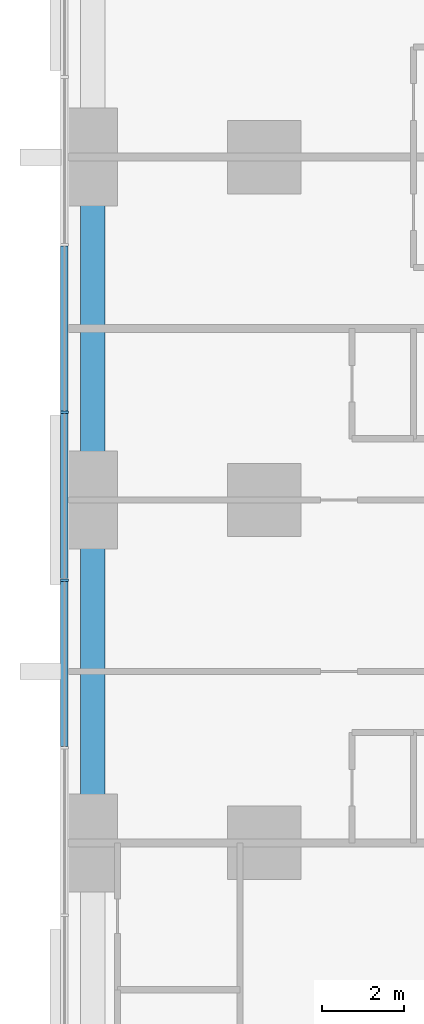
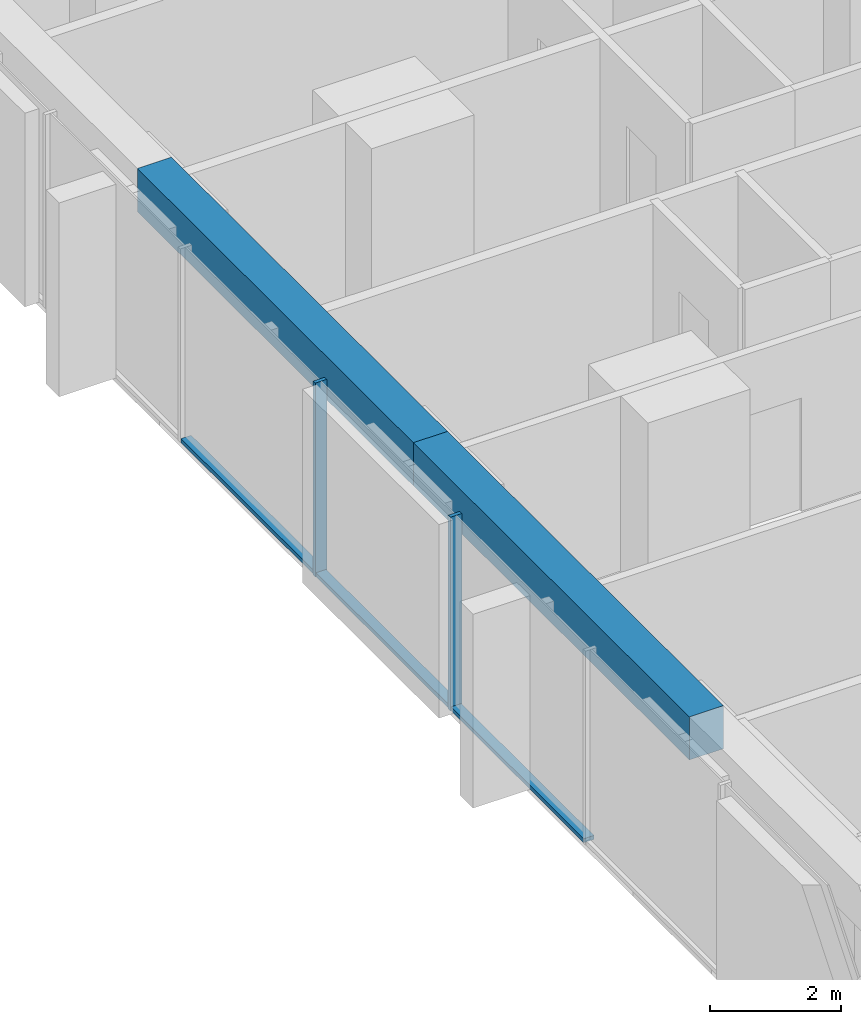
# One storey, part 3 of 17: 5 members, 2 beams, 1 element without a shape of its own.
"""IFC4 building model written with IfcOpenShell, lengths in metres."""

from ifc_helpers import new_model, si_unit, direction, frame, origin, origin_2d, place, context, subcontext, project, spatial, rectangle, extrude, material, material_profile, profile_set, type_object, element, aggregate, save


model = new_model("IFC4")

# Units and contexts
model_context = context("Model", 3, precision=1e-05, world=origin(), true_north=direction((0.0, 1.0)))
body_context = subcontext(model_context, "Body", "Model", "MODEL_VIEW")
ifc_project = project(units=[si_unit("LENGTHUNIT", "METRE"), si_unit("AREAUNIT", "SQUARE_METRE"), si_unit("VOLUMEUNIT", "CUBIC_METRE"), si_unit("PLANEANGLEUNIT", "RADIAN"), si_unit("MASSUNIT", "GRAM", prefix="KILO")], contexts=[model_context])

# Site, building, storey
site_placement = place(None, origin())
site = spatial("IfcSite", under=ifc_project, at=site_placement, CompositionType="ELEMENT")
building_placement = place(site_placement, origin())
building = spatial("IfcBuilding", under=site, at=building_placement, Name="Dunama Terrace Hotel", CompositionType="ELEMENT")
storey_placement = place(building_placement, frame((0.0, 0.0, 37.800048828125)))
storey = spatial("IfcBuildingStorey", under=building, at=storey_placement, Name="L08", CompositionType="ELEMENT", Elevation=37.800048828125)

# Curtain wall, members
ifc_material_1 = material(Name="Aluminium curtain wall system", Category="aluminium")
curtain_wall_type = type_object("IfcCurtainWallType", Name="Unitised fritted glass wall CW-A", PredefinedType="NOTDEFINED", material=ifc_material_1)
curtain_wall_placement = place(storey_placement, origin())
curtain_wall = element("IfcCurtainWall", 1, at=curtain_wall_placement, inside=storey, type_object=curtain_wall_type, Name="Unitised fritted glass wall CW-A L08", PredefinedType="NOTDEFINED")
ifc_material_2 = material(Name="Aluminium mullion", Category="aluminium")
ifc_material_profile_1 = material_profile(ifc_material_2, rectangle(XDim=0.06494140625, YDim=0.199951171875, at=origin_2d()), Name="CWA MULLION 65X200")
ifc_profile_set_1 = profile_set([ifc_material_profile_1], Name="Aluminium mullion")
member_type_1 = type_object("IfcMemberType", Name="CWA mullion 65x200", PredefinedType="MULLION", material=ifc_profile_set_1)
member_1_placement = place(storey_placement, frame((-0.10009765625, 27.345947265625, 0.0), z_axis=(0.0, 0.0, 1.0), x_axis=(0.0, -1.0, 0.0)))
member_1 = element("IfcMember", 2, at=member_1_placement, type_object=member_type_1, Name="CWA mullion", PredefinedType="MULLION", context=body_context, shape_type="SweptSolid", body=[
    extrude(rectangle(XDim=0.06494140625, YDim=0.199951171875, at=origin_2d()), origin(), (0.0, 0.0, 1.0), 3.599853515625),
])
member_2_placement = place(storey_placement, frame((-0.10009765625, 23.238037109375, 0.0), z_axis=(0.0, 0.0, 1.0), x_axis=(0.0, -1.0, 0.0)))
member_2 = element("IfcMember", 3, at=member_2_placement, type_object=member_type_1, Name="CWA mullion", PredefinedType="MULLION", context=body_context, shape_type="SweptSolid", body=[
    extrude(rectangle(XDim=0.06494140625, YDim=0.199951171875, at=origin_2d()), origin(), (0.0, 0.0, 1.0), 3.599853515625),
])
ifc_material_3 = material(Name="Aluminium transom", Category="aluminium")
ifc_material_profile_2 = material_profile(ifc_material_3, rectangle(XDim=0.179931640625, YDim=0.074951171875, at=origin_2d()), Name="CWA TRANSOM 180X75")
ifc_profile_set_2 = profile_set([ifc_material_profile_2], Name="Aluminium transom")
member_type_2 = type_object("IfcMemberType", Name="CWA transom 180x75", PredefinedType="USERDEFINED", material=ifc_profile_set_2)
member_3_placement = place(storey_placement, frame((-0.10009765625, 31.4208984375, 0.037353515625), z_axis=(0.0, -1.0, 0.0), x_axis=(1.0, 0.0, 0.0)))
member_3 = element("IfcMember", 4, at=member_3_placement, type_object=member_type_2, Name="CWA transom", ObjectType="TRANSOM", PredefinedType="USERDEFINED", context=body_context, shape_type="SweptSolid", body=[
    extrude(rectangle(XDim=0.179931640625, YDim=0.074951171875, at=origin_2d()), origin(), (0.0, 0.0, 1.0), 4.0419921875),
])
member_4_placement = place(storey_placement, frame((-0.10009765625, 27.31396484375, 0.037353515625), z_axis=(0.0, -1.0, 0.0), x_axis=(1.0, 0.0, 0.0)))
member_4 = element("IfcMember", 5, at=member_4_placement, type_object=member_type_2, Name="CWA transom", ObjectType="TRANSOM", PredefinedType="USERDEFINED", context=body_context, shape_type="SweptSolid", body=[
    extrude(rectangle(XDim=0.179931640625, YDim=0.074951171875, at=origin_2d()), origin(), (0.0, 0.0, 1.0), 4.04296875),
])
member_5_placement = place(storey_placement, frame((-0.10009765625, 23.2060546875, 0.037353515625), z_axis=(0.0, -1.0, 0.0), x_axis=(1.0, 0.0, 0.0)))
member_5 = element("IfcMember", 6, at=member_5_placement, type_object=member_type_2, Name="CWA transom", ObjectType="TRANSOM", PredefinedType="USERDEFINED", context=body_context, shape_type="SweptSolid", body=[
    extrude(rectangle(XDim=0.179931640625, YDim=0.074951171875, at=origin_2d()), origin(), (0.0, 0.0, 1.0), 4.04296875),
])
aggregate(curtain_wall, [member_1, member_2, member_3, member_4, member_5])

# Beams
ifc_material_4 = material(Name="Concrete C40/50", Category="concrete")
ifc_material_profile_3 = material_profile(ifc_material_4, rectangle(XDim=0.60009765625, YDim=0.800048828125, at=origin_2d()), Name="RC 600x800")
ifc_profile_set_3 = profile_set([ifc_material_profile_3], Name="Concrete C40/50")
beam_type = type_object("IfcBeamType", Name="Edge beam RC 600x800", PredefinedType="SPANDREL", material=ifc_profile_set_3)
beam_1_placement = place(storey_placement, frame((0.60009765625, 16.800048828125, 3.199951171875), z_axis=(0.0, 1.0, 0.0), x_axis=(-1.0, 0.0, 0.0)))
element("IfcBeam", 7, at=beam_1_placement, inside=storey, type_object=beam_type, Name="Edge beam under L09", PredefinedType="SPANDREL", context=body_context, shape_type="SweptSolid", body=[
    extrude(rectangle(XDim=0.60009765625, YDim=0.800048828125, at=origin_2d()), origin(), (0.0, 0.0, 1.0), 8.39990234375),
])
beam_2_placement = place(storey_placement, frame((0.60009765625, 25.199951171875, 3.199951171875), z_axis=(0.0, 1.0, 0.0), x_axis=(-1.0, 0.0, 0.0)))
element("IfcBeam", 8, at=beam_2_placement, inside=storey, type_object=beam_type, Name="Edge beam under L09", PredefinedType="SPANDREL", context=body_context, shape_type="SweptSolid", body=[
    extrude(rectangle(XDim=0.60009765625, YDim=0.800048828125, at=origin_2d()), origin(), (0.0, 0.0, 1.0), 8.400146484375),
])

save(model, "model.ifc")
